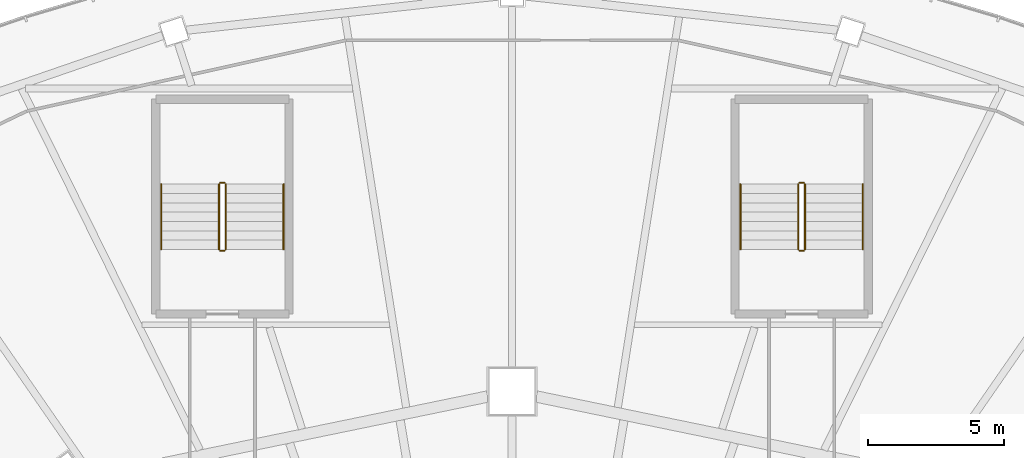
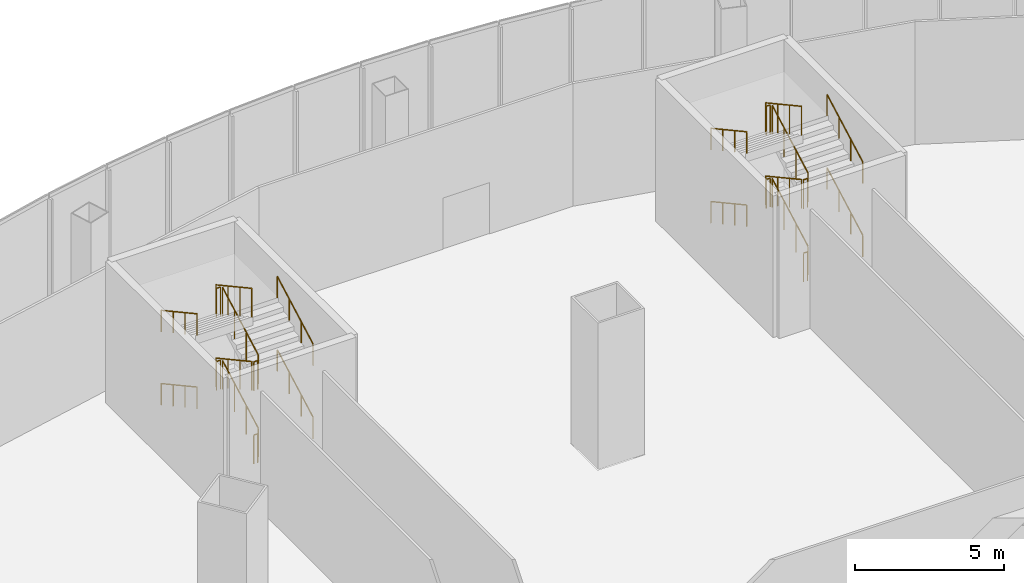
# One storey, part 37 of 37: 24 railings.
"""IFC4 building model written with IfcOpenShell, lengths in metres."""

from ifc_helpers import new_model, si_unit, direction, frame, origin, origin_2d, place, context, subcontext, project, spatial, circle, extrude, material, type_object, element, save


model = new_model("IFC4")

# Units and contexts
model_context = context("Model", 3, precision=1e-05, world=origin(), true_north=direction((0.0, 1.0)))
body_context = subcontext(model_context, "Body", "Model", "MODEL_VIEW")
ifc_project = project(units=[si_unit("LENGTHUNIT", "METRE"), si_unit("AREAUNIT", "SQUARE_METRE"), si_unit("VOLUMEUNIT", "CUBIC_METRE"), si_unit("PLANEANGLEUNIT", "RADIAN"), si_unit("MASSUNIT", "GRAM", prefix="KILO")], contexts=[model_context])

# Site, building, storey
site_placement = place(None, origin())
site = spatial("IfcSite", under=ifc_project, at=site_placement, CompositionType="ELEMENT")
building_placement = place(site_placement, origin())
building = spatial("IfcBuilding", under=site, at=building_placement, Name="Sahrelin Media Tower", CompositionType="ELEMENT")
storey_placement = place(building_placement, frame((0.0, 0.0, 31.39990234375)))
storey = spatial("IfcBuildingStorey", under=building, at=storey_placement, Name="L04", CompositionType="ELEMENT", Elevation=31.39990234375)

# Railings
ifc_material = material(Name="Steel S355", Category="steel")
railing_type_1 = type_object("IfcRailingType", Name="Stair guard 1200", PredefinedType="GUARDRAIL", material=ifc_material)
railing_1_placement = place(storey_placement, frame((10.77490234375, 30.625, 0.1875)))
element("IfcRailing", 1, at=railing_1_placement, inside=storey, type_object=railing_type_1, Name="L04 PS1 stair guard 1", PredefinedType="GUARDRAIL", context=body_context, shape_type="SweptSolid", body=[
    extrude(circle(Radius=0.02392578125, at=origin_2d()), frame((0.0, 0.0, 1.17578125), z_axis=(0.0, 0.877362920242, 0.479827371233), x_axis=(-1.0, 0.0, 0.0)), (0.0, 0.0, 1.0), 2.7353515625),
    extrude(circle(Radius=0.02099609375, at=origin_2d()), origin(), (0.0, 0.0, 1.0), 1.15185546875),
    extrude(circle(Radius=0.02099609375, at=origin_2d()), frame((0.0, 0.800048828125, 0.4375)), (0.0, 0.0, 1.0), 1.15185546875),
    extrude(circle(Radius=0.02099609375, at=origin_2d()), frame((0.0, 1.599853515625, 0.875)), (0.0, 0.0, 1.0), 1.15185546875),
    extrude(circle(Radius=0.02099609375, at=origin_2d()), frame((0.0, 2.39990234375, 1.3125)), (0.0, 0.0, 1.0), 1.15185546875),
])
railing_2_placement = place(storey_placement, frame((10.72509765625, 33.074951171875, 1.5)))
element("IfcRailing", 2, at=railing_2_placement, inside=storey, type_object=railing_type_1, Name="L04 PS1 stair guard 2", PredefinedType="GUARDRAIL", context=body_context, shape_type="SweptSolid", body=[
    extrude(circle(Radius=0.02392578125, at=origin_2d()), frame((0.0, 0.0, 1.17578125), z_axis=(-1.0, 0.0, 0.0), x_axis=(0.0, -1.0, 0.0)), (0.0, 0.0, 1.0), 0.150146484375),
    extrude(circle(Radius=0.02099609375, at=origin_2d()), origin(), (0.0, 0.0, 1.0), 1.15185546875),
    extrude(circle(Radius=0.02099609375, at=origin_2d()), frame((-0.150146484375, 0.0, 0.0)), (0.0, 0.0, 1.0), 1.15185546875),
])
railing_3_placement = place(storey_placement, frame((10.52490234375, 33.02490234375, 1.6875)))
element("IfcRailing", 3, at=railing_3_placement, inside=storey, type_object=railing_type_1, Name="L04 PS1 stair guard 3", PredefinedType="GUARDRAIL", context=body_context, shape_type="SweptSolid", body=[
    extrude(circle(Radius=0.02392578125, at=origin_2d()), frame((0.0, 0.0, 1.17578125), z_axis=(0.0, -0.877362920242, 0.479827371233), x_axis=(1.0, 0.0, 0.0)), (0.0, 0.0, 1.0), 2.7353515625),
    extrude(circle(Radius=0.02099609375, at=origin_2d()), origin(), (0.0, 0.0, 1.0), 1.15185546875),
    extrude(circle(Radius=0.02099609375, at=origin_2d()), frame((0.0, -0.800048828125, 0.4375)), (0.0, 0.0, 1.0), 1.15185546875),
    extrude(circle(Radius=0.02099609375, at=origin_2d()), frame((0.0, -1.599853515625, 0.875)), (0.0, 0.0, 1.0), 1.15185546875),
    extrude(circle(Radius=0.02099609375, at=origin_2d()), frame((0.0, -2.39990234375, 1.3125)), (0.0, 0.0, 1.0), 1.15185546875),
])
railing_4_placement = place(storey_placement, frame((10.72509765625, 30.574951171875, 3.0)))
element("IfcRailing", 4, at=railing_4_placement, inside=storey, type_object=railing_type_1, Name="L04 PS1 stair guard 4", PredefinedType="GUARDRAIL", context=body_context, shape_type="SweptSolid", body=[
    extrude(circle(Radius=0.02392578125, at=origin_2d()), frame((0.0, 0.0, 1.17578125), z_axis=(-1.0, 0.0, 0.0), x_axis=(0.0, -1.0, 0.0)), (0.0, 0.0, 1.0), 0.150146484375),
    extrude(circle(Radius=0.02099609375, at=origin_2d()), origin(), (0.0, 0.0, 1.0), 1.15185546875),
    extrude(circle(Radius=0.02099609375, at=origin_2d()), frame((-0.150146484375, 0.0, 0.0)), (0.0, 0.0, 1.0), 1.15185546875),
])
railing_5_placement = place(storey_placement, frame((10.77490234375, 30.625, 3.1875)))
element("IfcRailing", 5, at=railing_5_placement, inside=storey, type_object=railing_type_1, Name="L04 PS1 stair guard 5", PredefinedType="GUARDRAIL", context=body_context, shape_type="SweptSolid", body=[
    extrude(circle(Radius=0.02392578125, at=origin_2d()), frame((0.0, 0.0, 1.17578125), z_axis=(0.0, 0.877362920242, 0.479827371233), x_axis=(-1.0, 0.0, 0.0)), (0.0, 0.0, 1.0), 2.7353515625),
    extrude(circle(Radius=0.02099609375, at=origin_2d()), origin(), (0.0, 0.0, 1.0), 1.15185546875),
    extrude(circle(Radius=0.02099609375, at=origin_2d()), frame((0.0, 0.800048828125, 0.4375)), (0.0, 0.0, 1.0), 1.15185546875),
    extrude(circle(Radius=0.02099609375, at=origin_2d()), frame((0.0, 1.599853515625, 0.875)), (0.0, 0.0, 1.0), 1.15185546875),
    extrude(circle(Radius=0.02099609375, at=origin_2d()), frame((0.0, 2.39990234375, 1.3125)), (0.0, 0.0, 1.0), 1.15185546875),
])
railing_6_placement = place(storey_placement, frame((10.72509765625, 33.074951171875, 4.5)))
element("IfcRailing", 6, at=railing_6_placement, inside=storey, type_object=railing_type_1, Name="L04 PS1 stair guard 6", PredefinedType="GUARDRAIL", context=body_context, shape_type="SweptSolid", body=[
    extrude(circle(Radius=0.02392578125, at=origin_2d()), frame((0.0, 0.0, 1.17578125), z_axis=(-1.0, 0.0, 0.0), x_axis=(0.0, -1.0, 0.0)), (0.0, 0.0, 1.0), 0.150146484375),
    extrude(circle(Radius=0.02099609375, at=origin_2d()), origin(), (0.0, 0.0, 1.0), 1.15185546875),
    extrude(circle(Radius=0.02099609375, at=origin_2d()), frame((-0.150146484375, 0.0, 0.0)), (0.0, 0.0, 1.0), 1.15185546875),
])
railing_7_placement = place(storey_placement, frame((10.52490234375, 33.02490234375, 4.6875)))
element("IfcRailing", 7, at=railing_7_placement, inside=storey, type_object=railing_type_1, Name="L04 PS1 stair guard 7", PredefinedType="GUARDRAIL", context=body_context, shape_type="SweptSolid", body=[
    extrude(circle(Radius=0.02392578125, at=origin_2d()), frame((0.0, 0.0, 1.17578125), z_axis=(0.0, -0.877362920242, 0.479827371233), x_axis=(1.0, 0.0, 0.0)), (0.0, 0.0, 1.0), 2.7353515625),
    extrude(circle(Radius=0.02099609375, at=origin_2d()), origin(), (0.0, 0.0, 1.0), 1.15185546875),
    extrude(circle(Radius=0.02099609375, at=origin_2d()), frame((0.0, -0.800048828125, 0.4375)), (0.0, 0.0, 1.0), 1.15185546875),
    extrude(circle(Radius=0.02099609375, at=origin_2d()), frame((0.0, -1.599853515625, 0.875)), (0.0, 0.0, 1.0), 1.15185546875),
    extrude(circle(Radius=0.02099609375, at=origin_2d()), frame((0.0, -2.39990234375, 1.3125)), (0.0, 0.0, 1.0), 1.15185546875),
])
railing_8_placement = place(storey_placement, frame((10.72509765625, 30.574951171875, 0.0)))
element("IfcRailing", 8, at=railing_8_placement, inside=storey, type_object=railing_type_1, Name="L04 PS1 stair guard 8", PredefinedType="GUARDRAIL", context=body_context, shape_type="SweptSolid", body=[
    extrude(circle(Radius=0.02392578125, at=origin_2d()), frame((0.0, 0.0, 1.17578125), z_axis=(-1.0, 0.0, 0.0), x_axis=(0.0, -1.0, 0.0)), (0.0, 0.0, 1.0), 0.150146484375),
    extrude(circle(Radius=0.02099609375, at=origin_2d()), origin(), (0.0, 0.0, 1.0), 1.15185546875),
    extrude(circle(Radius=0.02099609375, at=origin_2d()), frame((-0.150146484375, 0.0, 0.0)), (0.0, 0.0, 1.0), 1.15185546875),
])
railing_9_placement = place(storey_placement, frame((-10.52490234375, 30.625, 0.1875)))
element("IfcRailing", 9, at=railing_9_placement, inside=storey, type_object=railing_type_1, Name="L04 PS2 stair guard 1", PredefinedType="GUARDRAIL", context=body_context, shape_type="SweptSolid", body=[
    extrude(circle(Radius=0.02392578125, at=origin_2d()), frame((0.0, 0.0, 1.17578125), z_axis=(0.0, 0.877362920242, 0.479827371233), x_axis=(-1.0, 0.0, 0.0)), (0.0, 0.0, 1.0), 2.7353515625),
    extrude(circle(Radius=0.02099609375, at=origin_2d()), origin(), (0.0, 0.0, 1.0), 1.15185546875),
    extrude(circle(Radius=0.02099609375, at=origin_2d()), frame((0.0, 0.800048828125, 0.4375)), (0.0, 0.0, 1.0), 1.15185546875),
    extrude(circle(Radius=0.02099609375, at=origin_2d()), frame((0.0, 1.599853515625, 0.875)), (0.0, 0.0, 1.0), 1.15185546875),
    extrude(circle(Radius=0.02099609375, at=origin_2d()), frame((0.0, 2.39990234375, 1.3125)), (0.0, 0.0, 1.0), 1.15185546875),
])
railing_10_placement = place(storey_placement, frame((-10.574951171875, 33.074951171875, 1.5)))
element("IfcRailing", 10, at=railing_10_placement, inside=storey, type_object=railing_type_1, Name="L04 PS2 stair guard 2", PredefinedType="GUARDRAIL", context=body_context, shape_type="SweptSolid", body=[
    extrude(circle(Radius=0.02392578125, at=origin_2d()), frame((0.0, 0.0, 1.17578125), z_axis=(-1.0, 0.0, 0.0), x_axis=(0.0, -1.0, 0.0)), (0.0, 0.0, 1.0), 0.150146484375),
    extrude(circle(Radius=0.02099609375, at=origin_2d()), origin(), (0.0, 0.0, 1.0), 1.15185546875),
    extrude(circle(Radius=0.02099609375, at=origin_2d()), frame((-0.150146484375, 0.0, 0.0)), (0.0, 0.0, 1.0), 1.15185546875),
])
railing_11_placement = place(storey_placement, frame((-10.77490234375, 33.02490234375, 1.6875)))
element("IfcRailing", 11, at=railing_11_placement, inside=storey, type_object=railing_type_1, Name="L04 PS2 stair guard 3", PredefinedType="GUARDRAIL", context=body_context, shape_type="SweptSolid", body=[
    extrude(circle(Radius=0.02392578125, at=origin_2d()), frame((0.0, 0.0, 1.17578125), z_axis=(0.0, -0.877362920242, 0.479827371233), x_axis=(1.0, 0.0, 0.0)), (0.0, 0.0, 1.0), 2.7353515625),
    extrude(circle(Radius=0.02099609375, at=origin_2d()), origin(), (0.0, 0.0, 1.0), 1.15185546875),
    extrude(circle(Radius=0.02099609375, at=origin_2d()), frame((0.0, -0.800048828125, 0.4375)), (0.0, 0.0, 1.0), 1.15185546875),
    extrude(circle(Radius=0.02099609375, at=origin_2d()), frame((0.0, -1.599853515625, 0.875)), (0.0, 0.0, 1.0), 1.15185546875),
    extrude(circle(Radius=0.02099609375, at=origin_2d()), frame((0.0, -2.39990234375, 1.3125)), (0.0, 0.0, 1.0), 1.15185546875),
])
railing_12_placement = place(storey_placement, frame((-10.574951171875, 30.574951171875, 3.0)))
element("IfcRailing", 12, at=railing_12_placement, inside=storey, type_object=railing_type_1, Name="L04 PS2 stair guard 4", PredefinedType="GUARDRAIL", context=body_context, shape_type="SweptSolid", body=[
    extrude(circle(Radius=0.02392578125, at=origin_2d()), frame((0.0, 0.0, 1.17578125), z_axis=(-1.0, 0.0, 0.0), x_axis=(0.0, -1.0, 0.0)), (0.0, 0.0, 1.0), 0.150146484375),
    extrude(circle(Radius=0.02099609375, at=origin_2d()), origin(), (0.0, 0.0, 1.0), 1.15185546875),
    extrude(circle(Radius=0.02099609375, at=origin_2d()), frame((-0.150146484375, 0.0, 0.0)), (0.0, 0.0, 1.0), 1.15185546875),
])
railing_13_placement = place(storey_placement, frame((-10.52490234375, 30.625, 3.1875)))
element("IfcRailing", 13, at=railing_13_placement, inside=storey, type_object=railing_type_1, Name="L04 PS2 stair guard 5", PredefinedType="GUARDRAIL", context=body_context, shape_type="SweptSolid", body=[
    extrude(circle(Radius=0.02392578125, at=origin_2d()), frame((0.0, 0.0, 1.17578125), z_axis=(0.0, 0.877362920242, 0.479827371233), x_axis=(-1.0, 0.0, 0.0)), (0.0, 0.0, 1.0), 2.7353515625),
    extrude(circle(Radius=0.02099609375, at=origin_2d()), origin(), (0.0, 0.0, 1.0), 1.15185546875),
    extrude(circle(Radius=0.02099609375, at=origin_2d()), frame((0.0, 0.800048828125, 0.4375)), (0.0, 0.0, 1.0), 1.15185546875),
    extrude(circle(Radius=0.02099609375, at=origin_2d()), frame((0.0, 1.599853515625, 0.875)), (0.0, 0.0, 1.0), 1.15185546875),
    extrude(circle(Radius=0.02099609375, at=origin_2d()), frame((0.0, 2.39990234375, 1.3125)), (0.0, 0.0, 1.0), 1.15185546875),
])
railing_14_placement = place(storey_placement, frame((-10.574951171875, 33.074951171875, 4.5)))
element("IfcRailing", 14, at=railing_14_placement, inside=storey, type_object=railing_type_1, Name="L04 PS2 stair guard 6", PredefinedType="GUARDRAIL", context=body_context, shape_type="SweptSolid", body=[
    extrude(circle(Radius=0.02392578125, at=origin_2d()), frame((0.0, 0.0, 1.17578125), z_axis=(-1.0, 0.0, 0.0), x_axis=(0.0, -1.0, 0.0)), (0.0, 0.0, 1.0), 0.150146484375),
    extrude(circle(Radius=0.02099609375, at=origin_2d()), origin(), (0.0, 0.0, 1.0), 1.15185546875),
    extrude(circle(Radius=0.02099609375, at=origin_2d()), frame((-0.150146484375, 0.0, 0.0)), (0.0, 0.0, 1.0), 1.15185546875),
])
railing_15_placement = place(storey_placement, frame((-10.77490234375, 33.02490234375, 4.6875)))
element("IfcRailing", 15, at=railing_15_placement, inside=storey, type_object=railing_type_1, Name="L04 PS2 stair guard 7", PredefinedType="GUARDRAIL", context=body_context, shape_type="SweptSolid", body=[
    extrude(circle(Radius=0.02392578125, at=origin_2d()), frame((0.0, 0.0, 1.17578125), z_axis=(0.0, -0.877362920242, 0.479827371233), x_axis=(1.0, 0.0, 0.0)), (0.0, 0.0, 1.0), 2.7353515625),
    extrude(circle(Radius=0.02099609375, at=origin_2d()), origin(), (0.0, 0.0, 1.0), 1.15185546875),
    extrude(circle(Radius=0.02099609375, at=origin_2d()), frame((0.0, -0.800048828125, 0.4375)), (0.0, 0.0, 1.0), 1.15185546875),
    extrude(circle(Radius=0.02099609375, at=origin_2d()), frame((0.0, -1.599853515625, 0.875)), (0.0, 0.0, 1.0), 1.15185546875),
    extrude(circle(Radius=0.02099609375, at=origin_2d()), frame((0.0, -2.39990234375, 1.3125)), (0.0, 0.0, 1.0), 1.15185546875),
])
railing_16_placement = place(storey_placement, frame((-10.574951171875, 30.574951171875, 0.0)))
element("IfcRailing", 16, at=railing_16_placement, inside=storey, type_object=railing_type_1, Name="L04 PS2 stair guard 8", PredefinedType="GUARDRAIL", context=body_context, shape_type="SweptSolid", body=[
    extrude(circle(Radius=0.02392578125, at=origin_2d()), frame((0.0, 0.0, 1.17578125), z_axis=(-1.0, 0.0, 0.0), x_axis=(0.0, -1.0, 0.0)), (0.0, 0.0, 1.0), 0.150146484375),
    extrude(circle(Radius=0.02099609375, at=origin_2d()), origin(), (0.0, 0.0, 1.0), 1.15185546875),
    extrude(circle(Radius=0.02099609375, at=origin_2d()), frame((-0.150146484375, 0.0, 0.0)), (0.0, 0.0, 1.0), 1.15185546875),
])
railing_type_2 = type_object("IfcRailingType", Name="Stair handrail 900", PredefinedType="HANDRAIL", material=ifc_material)
railing_17_placement = place(storey_placement, frame((12.89990234375, 30.625, 0.1875)))
element("IfcRailing", 17, at=railing_17_placement, inside=storey, type_object=railing_type_2, Name="L04 PS1 stair handrail 1", PredefinedType="HANDRAIL", context=body_context, shape_type="SweptSolid", body=[
    extrude(circle(Radius=0.02392578125, at=origin_2d()), frame((0.0, 0.0, 0.8759765625), z_axis=(0.0, 0.877362920242, 0.479827371233), x_axis=(-1.0, 0.0, 0.0)), (0.0, 0.0, 1.0), 2.7353515625),
    extrude(circle(Radius=0.02099609375, at=origin_2d()), origin(), (0.0, 0.0, 1.0), 0.851806640625),
    extrude(circle(Radius=0.02099609375, at=origin_2d()), frame((0.0, 0.800048828125, 0.4375)), (0.0, 0.0, 1.0), 0.851806640625),
    extrude(circle(Radius=0.02099609375, at=origin_2d()), frame((0.0, 1.599853515625, 0.875)), (0.0, 0.0, 1.0), 0.851806640625),
    extrude(circle(Radius=0.02099609375, at=origin_2d()), frame((0.0, 2.39990234375, 1.3125)), (0.0, 0.0, 1.0), 0.851806640625),
])
railing_18_placement = place(storey_placement, frame((8.39990234375, 33.02490234375, 1.6875)))
element("IfcRailing", 18, at=railing_18_placement, inside=storey, type_object=railing_type_2, Name="L04 PS1 stair handrail 2", PredefinedType="HANDRAIL", context=body_context, shape_type="SweptSolid", body=[
    extrude(circle(Radius=0.02392578125, at=origin_2d()), frame((0.0, 0.0, 0.8759765625), z_axis=(0.0, -0.877362920242, 0.479827371233), x_axis=(1.0, 0.0, 0.0)), (0.0, 0.0, 1.0), 2.7353515625),
    extrude(circle(Radius=0.02099609375, at=origin_2d()), origin(), (0.0, 0.0, 1.0), 0.851806640625),
    extrude(circle(Radius=0.02099609375, at=origin_2d()), frame((0.0, -0.800048828125, 0.4375)), (0.0, 0.0, 1.0), 0.851806640625),
    extrude(circle(Radius=0.02099609375, at=origin_2d()), frame((0.0, -1.599853515625, 0.875)), (0.0, 0.0, 1.0), 0.851806640625),
    extrude(circle(Radius=0.02099609375, at=origin_2d()), frame((0.0, -2.39990234375, 1.3125)), (0.0, 0.0, 1.0), 0.851806640625),
])
railing_19_placement = place(storey_placement, frame((12.89990234375, 30.625, 3.1875)))
element("IfcRailing", 19, at=railing_19_placement, inside=storey, type_object=railing_type_2, Name="L04 PS1 stair handrail 3", PredefinedType="HANDRAIL", context=body_context, shape_type="SweptSolid", body=[
    extrude(circle(Radius=0.02392578125, at=origin_2d()), frame((0.0, 0.0, 0.8759765625), z_axis=(0.0, 0.877362920242, 0.479827371233), x_axis=(-1.0, 0.0, 0.0)), (0.0, 0.0, 1.0), 2.7353515625),
    extrude(circle(Radius=0.02099609375, at=origin_2d()), origin(), (0.0, 0.0, 1.0), 0.851806640625),
    extrude(circle(Radius=0.02099609375, at=origin_2d()), frame((0.0, 0.800048828125, 0.4375)), (0.0, 0.0, 1.0), 0.851806640625),
    extrude(circle(Radius=0.02099609375, at=origin_2d()), frame((0.0, 1.599853515625, 0.875)), (0.0, 0.0, 1.0), 0.851806640625),
    extrude(circle(Radius=0.02099609375, at=origin_2d()), frame((0.0, 2.39990234375, 1.3125)), (0.0, 0.0, 1.0), 0.851806640625),
])
railing_20_placement = place(storey_placement, frame((8.39990234375, 33.02490234375, 4.6875)))
element("IfcRailing", 20, at=railing_20_placement, inside=storey, type_object=railing_type_2, Name="L04 PS1 stair handrail 4", PredefinedType="HANDRAIL", context=body_context, shape_type="SweptSolid", body=[
    extrude(circle(Radius=0.02392578125, at=origin_2d()), frame((0.0, 0.0, 0.8759765625), z_axis=(0.0, -0.877362920242, 0.479827371233), x_axis=(1.0, 0.0, 0.0)), (0.0, 0.0, 1.0), 2.7353515625),
    extrude(circle(Radius=0.02099609375, at=origin_2d()), origin(), (0.0, 0.0, 1.0), 0.851806640625),
    extrude(circle(Radius=0.02099609375, at=origin_2d()), frame((0.0, -0.800048828125, 0.4375)), (0.0, 0.0, 1.0), 0.851806640625),
    extrude(circle(Radius=0.02099609375, at=origin_2d()), frame((0.0, -1.599853515625, 0.875)), (0.0, 0.0, 1.0), 0.851806640625),
    extrude(circle(Radius=0.02099609375, at=origin_2d()), frame((0.0, -2.39990234375, 1.3125)), (0.0, 0.0, 1.0), 0.851806640625),
])
railing_21_placement = place(storey_placement, frame((-8.39990234375, 30.625, 0.1875)))
element("IfcRailing", 21, at=railing_21_placement, inside=storey, type_object=railing_type_2, Name="L04 PS2 stair handrail 1", PredefinedType="HANDRAIL", context=body_context, shape_type="SweptSolid", body=[
    extrude(circle(Radius=0.02392578125, at=origin_2d()), frame((0.0, 0.0, 0.8759765625), z_axis=(0.0, 0.877362920242, 0.479827371233), x_axis=(-1.0, 0.0, 0.0)), (0.0, 0.0, 1.0), 2.7353515625),
    extrude(circle(Radius=0.02099609375, at=origin_2d()), origin(), (0.0, 0.0, 1.0), 0.851806640625),
    extrude(circle(Radius=0.02099609375, at=origin_2d()), frame((0.0, 0.800048828125, 0.4375)), (0.0, 0.0, 1.0), 0.851806640625),
    extrude(circle(Radius=0.02099609375, at=origin_2d()), frame((0.0, 1.599853515625, 0.875)), (0.0, 0.0, 1.0), 0.851806640625),
    extrude(circle(Radius=0.02099609375, at=origin_2d()), frame((0.0, 2.39990234375, 1.3125)), (0.0, 0.0, 1.0), 0.851806640625),
])
railing_22_placement = place(storey_placement, frame((-12.89990234375, 33.02490234375, 1.6875)))
element("IfcRailing", 22, at=railing_22_placement, inside=storey, type_object=railing_type_2, Name="L04 PS2 stair handrail 2", PredefinedType="HANDRAIL", context=body_context, shape_type="SweptSolid", body=[
    extrude(circle(Radius=0.02392578125, at=origin_2d()), frame((0.0, 0.0, 0.8759765625), z_axis=(0.0, -0.877362920242, 0.479827371233), x_axis=(1.0, 0.0, 0.0)), (0.0, 0.0, 1.0), 2.7353515625),
    extrude(circle(Radius=0.02099609375, at=origin_2d()), origin(), (0.0, 0.0, 1.0), 0.851806640625),
    extrude(circle(Radius=0.02099609375, at=origin_2d()), frame((0.0, -0.800048828125, 0.4375)), (0.0, 0.0, 1.0), 0.851806640625),
    extrude(circle(Radius=0.02099609375, at=origin_2d()), frame((0.0, -1.599853515625, 0.875)), (0.0, 0.0, 1.0), 0.851806640625),
    extrude(circle(Radius=0.02099609375, at=origin_2d()), frame((0.0, -2.39990234375, 1.3125)), (0.0, 0.0, 1.0), 0.851806640625),
])
railing_23_placement = place(storey_placement, frame((-8.39990234375, 30.625, 3.1875)))
element("IfcRailing", 23, at=railing_23_placement, inside=storey, type_object=railing_type_2, Name="L04 PS2 stair handrail 3", PredefinedType="HANDRAIL", context=body_context, shape_type="SweptSolid", body=[
    extrude(circle(Radius=0.02392578125, at=origin_2d()), frame((0.0, 0.0, 0.8759765625), z_axis=(0.0, 0.877362920242, 0.479827371233), x_axis=(-1.0, 0.0, 0.0)), (0.0, 0.0, 1.0), 2.7353515625),
    extrude(circle(Radius=0.02099609375, at=origin_2d()), origin(), (0.0, 0.0, 1.0), 0.851806640625),
    extrude(circle(Radius=0.02099609375, at=origin_2d()), frame((0.0, 0.800048828125, 0.4375)), (0.0, 0.0, 1.0), 0.851806640625),
    extrude(circle(Radius=0.02099609375, at=origin_2d()), frame((0.0, 1.599853515625, 0.875)), (0.0, 0.0, 1.0), 0.851806640625),
    extrude(circle(Radius=0.02099609375, at=origin_2d()), frame((0.0, 2.39990234375, 1.3125)), (0.0, 0.0, 1.0), 0.851806640625),
])
railing_24_placement = place(storey_placement, frame((-12.89990234375, 33.02490234375, 4.6875)))
element("IfcRailing", 24, at=railing_24_placement, inside=storey, type_object=railing_type_2, Name="L04 PS2 stair handrail 4", PredefinedType="HANDRAIL", context=body_context, shape_type="SweptSolid", body=[
    extrude(circle(Radius=0.02392578125, at=origin_2d()), frame((0.0, 0.0, 0.8759765625), z_axis=(0.0, -0.877362920242, 0.479827371233), x_axis=(1.0, 0.0, 0.0)), (0.0, 0.0, 1.0), 2.7353515625),
    extrude(circle(Radius=0.02099609375, at=origin_2d()), origin(), (0.0, 0.0, 1.0), 0.851806640625),
    extrude(circle(Radius=0.02099609375, at=origin_2d()), frame((0.0, -0.800048828125, 0.4375)), (0.0, 0.0, 1.0), 0.851806640625),
    extrude(circle(Radius=0.02099609375, at=origin_2d()), frame((0.0, -1.599853515625, 0.875)), (0.0, 0.0, 1.0), 0.851806640625),
    extrude(circle(Radius=0.02099609375, at=origin_2d()), frame((0.0, -2.39990234375, 1.3125)), (0.0, 0.0, 1.0), 0.851806640625),
])

save(model, "model.ifc")
